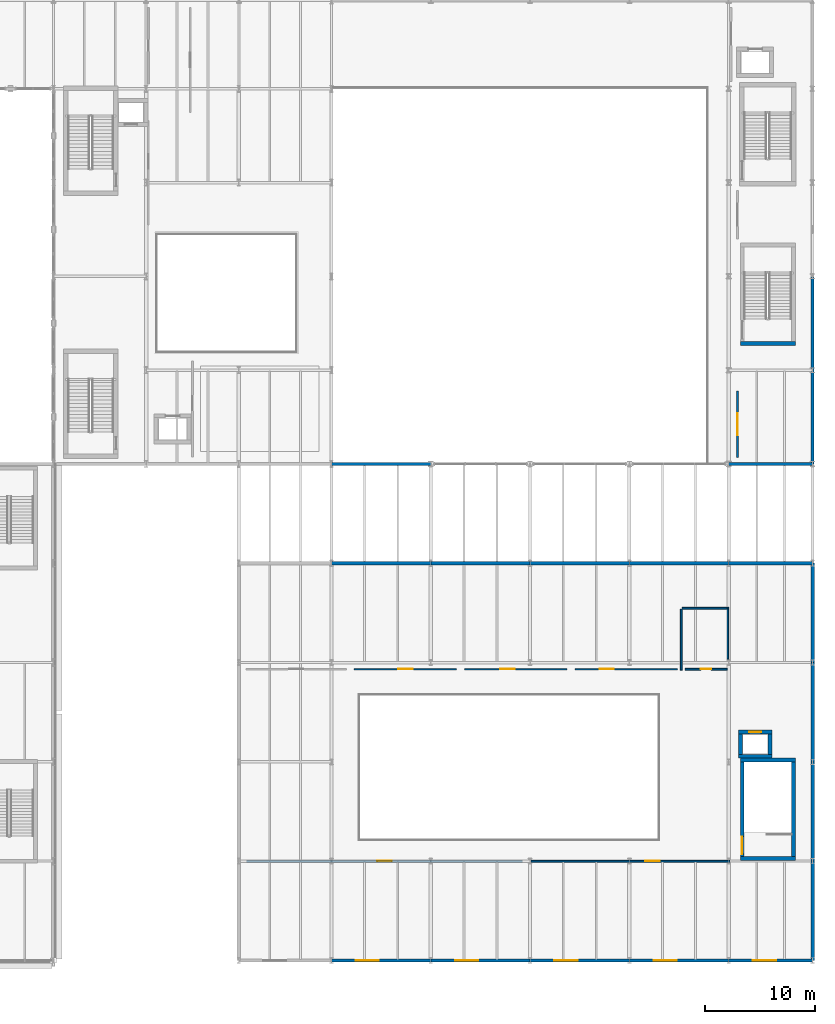
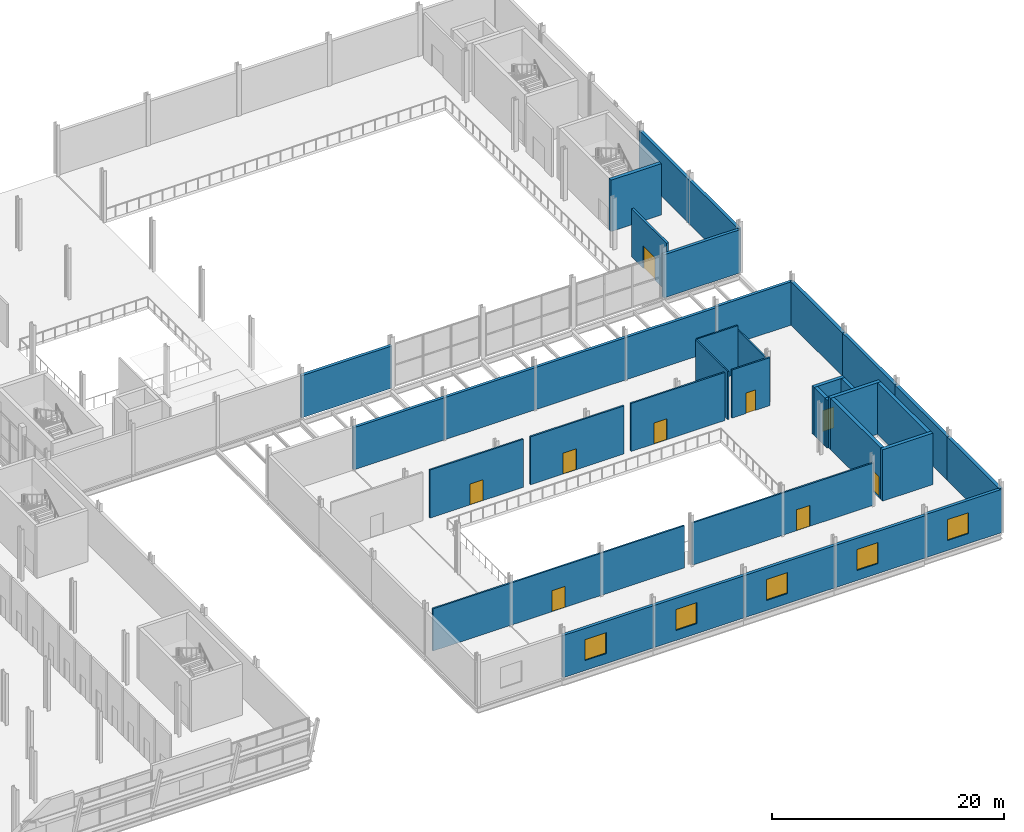
# One storey, part 58 of 78: 36 walls, 9 doors, 5 windows, 14 openings.
"""IFC4 building model written with IfcOpenShell, lengths in metres."""

import ifcopenshell
import ifcopenshell.guid

model = None  # the IFC model being written
_history = None  # IfcOwnerHistory: only IFC2X3 demands one
_inside = {}  # id of a spatial element -> (the spatial element, [elements in it])
_under = {}  # id of a project, library or spatial element -> (it, [spatial elements below it])
_declared = {}  # id of a project -> (the project, [libraries it declares])
_typed = {}  # id of a type object -> (the type object, [elements of that type])
_made_of = {}  # id of a material, layer set ... -> (it, [elements and type objects made of it])


def new_model(schema):
    """Start an empty IFC model of exactly this schema.

    Asked for "IFC4X3", IfcOpenShell would pick the latest addendum, in which some entities
    have other attributes; the version numbers below select the first issue.
    IFC2X3 requires an IfcOwnerHistory on every rooted entity: one is made here for all.
    """
    global model, _history
    if schema == "IFC4X3":
        model = ifcopenshell.file(schema_version=(4, 3, 0, 0))
    else:
        model = ifcopenshell.file(schema=schema)
    _inside.clear()
    _under.clear()
    _declared.clear()
    _typed.clear()
    _made_of.clear()
    _history = None
    if model.schema == "IFC2X3":
        org = make("IfcOrganization", Name="unknown")
        user = make(
            "IfcPersonAndOrganization",
            ThePerson=make("IfcPerson", FamilyName="unknown"),
            TheOrganization=org,
        )
        app = make(
            "IfcApplication",
            ApplicationDeveloper=org,
            Version="unknown",
            ApplicationFullName="unknown",
            ApplicationIdentifier="unknown",
        )
        _history = make(
            "IfcOwnerHistory",
            OwningUser=user,
            OwningApplication=app,
            ChangeAction="ADDED",
            CreationDate=0,
        )
    return model


def make(cls, **values):
    """One entity of the class cls with the attributes given. An attribute that is None is left unset."""
    return model.create_entity(
        cls, **{name: value for name, value in values.items() if value is not None}
    )


def rooted(cls, **values):
    """An entity with a GlobalId (a new one), such as an element, a storey or a relation."""
    return make(cls, GlobalId=ifcopenshell.guid.new(), OwnerHistory=_history, **values)


def si_unit(unit_type, name, prefix=None):
    """IfcSIUnit, for example si_unit("LENGTHUNIT", "METRE", prefix="MILLI")."""
    return make("IfcSIUnit", UnitType=unit_type, Prefix=prefix, Name=name)


def assignment(units):
    """IfcUnitAssignment: the units of a project."""
    return None if units is None else make("IfcUnitAssignment", Units=units)


def point(xyz):
    """IfcCartesianPoint."""
    return None if xyz is None else make("IfcCartesianPoint", Coordinates=xyz)


def direction(xyz):
    """IfcDirection."""
    return None if xyz is None else make("IfcDirection", DirectionRatios=xyz)


def frame(location, z_axis=None, x_axis=None):
    """IfcAxis2Placement3D, a coordinate frame: its origin and axes. An axis left out is left unset."""
    return make(
        "IfcAxis2Placement3D",
        Location=point(location),
        Axis=direction(z_axis),
        RefDirection=direction(x_axis),
    )


def frame_2d(location, x_axis=None):
    """IfcAxis2Placement2D, a coordinate frame in the plane: its origin and x axis."""
    return make(
        "IfcAxis2Placement2D", Location=point(location), RefDirection=direction(x_axis)
    )


def origin():
    """The frame at (0, 0, 0) with its axes left unset."""
    return frame((0.0, 0.0, 0.0))


def place(relative_to, where):
    """IfcLocalPlacement: puts the frame where relative to a parent placement (None: the world)."""
    return make(
        "IfcLocalPlacement", PlacementRelTo=relative_to, RelativePlacement=where
    )


def context(
    kind, dimensions, precision=None, world=None, true_north=None, identifier=None
):
    """IfcGeometricRepresentationContext, for example the 3D "Model" context."""
    return make(
        "IfcGeometricRepresentationContext",
        ContextIdentifier=identifier,
        ContextType=kind,
        CoordinateSpaceDimension=dimensions,
        Precision=precision,
        WorldCoordinateSystem=world,
        TrueNorth=true_north,
    )


def subcontext(parent, identifier, kind, view, scale=None):
    """IfcGeometricRepresentationSubContext, for example "Body" below "Model"."""
    return make(
        "IfcGeometricRepresentationSubContext",
        ContextIdentifier=identifier,
        ContextType=kind,
        ParentContext=parent,
        TargetScale=scale,
        TargetView=view,
    )


def project(units=None, contexts=None):
    """IfcProject with its units and contexts."""
    return rooted(
        "IfcProject",
        Name="project",
        RepresentationContexts=contexts,
        UnitsInContext=assignment(units),
    )


def spatial(cls, under=None, at=None, **own):
    """A site, building, storey or space (cls), placed at a placement, below another one or the project."""
    s = rooted(cls, ObjectPlacement=at, **own)
    if under is not None:
        _under.setdefault(under.id(), (under, []))[1].append(s)
    return s


def profile(cls, at=None, kind="AREA", **sizes):
    """A parametric profile (cls). Its sizes go by their IFC names, for example OverallWidth=200.0."""
    return make(cls, ProfileType=kind, Position=at, **sizes)


def rectangle(**sizes):
    """IfcRectangleProfileDef."""
    return profile("IfcRectangleProfileDef", **sizes)


def extrude(swept, where, along, depth):
    """IfcExtrudedAreaSolid: the profile swept, set in the frame where, extruded along a direction by depth."""
    return make(
        "IfcExtrudedAreaSolid",
        SweptArea=swept,
        Position=where,
        ExtrudedDirection=direction(along),
        Depth=depth,
    )


def shape(context_of_items, identifier, shape_type, items):
    """IfcShapeRepresentation: the items that make up one representation, for example the "Body"."""
    return make(
        "IfcShapeRepresentation",
        ContextOfItems=context_of_items,
        RepresentationIdentifier=identifier,
        RepresentationType=shape_type,
        Items=items,
    )


def material(Name=None, Category=None):
    """IfcMaterial."""
    return make("IfcMaterial", Name=Name, Category=Category)


def layer(
    of_material, thickness, ventilated=None, Name=None, Category=None, Priority=None
):
    """IfcMaterialLayer: one layer of a wall or slab, of a material (None: an air gap)."""
    return make(
        "IfcMaterialLayer",
        Material=of_material,
        LayerThickness=thickness,
        IsVentilated=ventilated,
        Name=Name,
        Category=Category,
        Priority=Priority,
    )


def layer_set(layers, Name=None):
    """IfcMaterialLayerSet."""
    return make("IfcMaterialLayerSet", MaterialLayers=layers, LayerSetName=Name)


def made_of(thing, what):
    """Note that an element or type object is made of a material, layer set ...; save() writes the relation."""
    if what is not None:
        _made_of.setdefault(what.id(), (what, []))[1].append(thing)
    return thing


def type_object(cls, material=None, **own):
    """A type object (cls), such as IfcWallType, which elements share."""
    return made_of(rooted(cls, **own), material)


def element(
    cls,
    number,
    at=None,
    inside=None,
    cuts=None,
    type_object=None,
    material=None,
    context=None,
    identifier="Body",
    shape_type=None,
    held_by="IfcProductDefinitionShape",
    body=None,
    shapes=None,
    **own,
):
    """One element of the class cls, such as IfcWall. Its Tag is "e" and its number.

    at: its placement. inside: the storey or other place that contains it. cuts: it is an
    opening in that element (IfcRelVoidsElement). A single representation is given by context,
    identifier, shape_type and body (its items); several are given by shapes. held_by: the class
    of the entity that holds the representations. save() writes the other relations.
    """
    e = rooted(cls, Tag="e%d" % number, ObjectPlacement=at, **own)
    if body is not None:
        shapes = [shape(context, identifier, shape_type, body)]
    if shapes is not None:
        e.Representation = make(held_by, Representations=shapes)
    if inside is not None:
        _inside.setdefault(inside.id(), (inside, []))[1].append(e)
    if cuts is not None:
        rooted(
            "IfcRelVoidsElement", RelatingBuildingElement=cuts, RelatedOpeningElement=e
        )
    if type_object is not None:
        _typed.setdefault(type_object.id(), (type_object, []))[1].append(e)
    return made_of(e, material)


def fill(opening, filler):
    """IfcRelFillsElement: the door or window that sits in an opening."""
    return rooted(
        "IfcRelFillsElement",
        RelatingOpeningElement=opening,
        RelatedBuildingElement=filler,
    )


def aggregate(whole, parts):
    """IfcRelAggregates: a whole, such as a stair, and the parts it consists of."""
    return rooted("IfcRelAggregates", RelatingObject=whole, RelatedObjects=parts)


def save(model, path):
    """Write the relations noted so far, then the file.

    IfcRelAggregates (storeys below a building ...), IfcRelContainedInSpatialStructure (elements
    in a storey), IfcRelDefinesByType, IfcRelAssociatesMaterial and IfcRelDeclares: one each for
    every whole, place, type object, material and project.
    """
    for whole, parts in _under.values():
        aggregate(whole, parts)
    for where, things in _inside.values():
        rooted(
            "IfcRelContainedInSpatialStructure",
            RelatedElements=things,
            RelatingStructure=where,
        )
    for kind, things in _typed.values():
        rooted("IfcRelDefinesByType", RelatedObjects=things, RelatingType=kind)
    for what, things in _made_of.values():
        rooted("IfcRelAssociatesMaterial", RelatedObjects=things, RelatingMaterial=what)
    for by, libraries in _declared.values():
        rooted("IfcRelDeclares", RelatingContext=by, RelatedDefinitions=libraries)
    model.write(path)


model = new_model("IFC4")

# Units and contexts
model_context = context("Model", 3, precision=1e-05, world=origin(), true_north=direction((0.0, 1.0)))
body_context = subcontext(model_context, "Body", "Model", "MODEL_VIEW")
ifc_project = project(units=[si_unit("LENGTHUNIT", "METRE"), si_unit("AREAUNIT", "SQUARE_METRE"), si_unit("VOLUMEUNIT", "CUBIC_METRE"), si_unit("PLANEANGLEUNIT", "RADIAN"), si_unit("MASSUNIT", "GRAM", prefix="KILO")], contexts=[model_context])

# Site, building, storey
site_placement = place(None, origin())
site = spatial("IfcSite", under=ifc_project, at=site_placement, CompositionType="ELEMENT")
building_placement = place(site_placement, origin())
building = spatial("IfcBuilding", under=site, at=building_placement, Name="Sefraquen Railside Congress Hotel", CompositionType="ELEMENT")
storey_placement = place(building_placement, frame((0.0, 0.0, 6.0)))
storey = spatial("IfcBuildingStorey", under=building, at=storey_placement, Name="L01", CompositionType="ELEMENT", Elevation=6.0)

# Wall, opening, door
ifc_material_1 = material(Name="Acoustic double stud and gypsum board", Category="gypsum")
ifc_layer_1 = layer(ifc_material_1, 0.219970703125)
ifc_layer_set_1 = layer_set([ifc_layer_1], Name="Acoustic double stud and gypsum board")
wall_type_1 = type_object("IfcWallType", Name="TW-AW-220", PredefinedType="PARTITIONING", material=ifc_layer_set_1)
wall_1_placement = place(storey_placement, frame((165.199951171875, 54.60009765625, 0.0), z_axis=(0.0, 0.0, 1.0), x_axis=(0.0, 1.0, 0.0)))
wall_1 = element("IfcWall", 1, at=wall_1_placement, inside=storey, type_object=wall_type_1, Name="Ballroom Mezzanine Accessible WC enclosure wall", PredefinedType="PARTITIONING", context=body_context, shape_type="SweptSolid", body=[
    extrude(rectangle(XDim=6.0, YDim=0.219970703125, at=frame_2d((3.0, 0.0))), origin(), (0.0, 0.0, 1.0), 5.050048828125),
])
opening_1_placement = place(wall_1_placement, frame((2.0, 0.0, 0.0)))
opening_1 = element("IfcOpeningElement", 2, at=opening_1_placement, cuts=wall_1, Name="Opening AD-02", PredefinedType="OPENING", context=body_context, shape_type="SweptSolid", body=[
    extrude(rectangle(XDim=2.0, YDim=2.35009765625, at=frame_2d((1.0, 1.175048828125))), frame((0.0, 0.119873046875, 0.0), z_axis=(0.0, -1.0, 0.0), x_axis=(1.0, 0.0, 0.0)), (0.0, 0.0, 1.0), 0.239990234375),
])
ifc_material_2 = material(Name="Acoustic Atlas cedar timber", Category="wood")
door_type_1 = type_object("IfcDoorType", Name="TD-AD-02", OperationType="NOTDEFINED", PredefinedType="DOOR", material=ifc_material_2)
door_1_placement = place(opening_1_placement, origin())
door_1 = element("IfcDoor", 3, at=door_1_placement, inside=storey, type_object=door_type_1, Name="Ballroom Mezzanine Accessible WC entrance door", OperationType="DOUBLE_SWING_LEFT", OverallHeight=2.35009765625, OverallWidth=2.0, PredefinedType="DOOR", context=body_context, shape_type="SweptSolid", body=[
    extrude(rectangle(XDim=2.0, YDim=2.35009765625, at=frame_2d((1.0, 1.175048828125))), frame((0.0, 0.02490234375, 0.0), z_axis=(0.0, -1.0, 0.0), x_axis=(1.0, 0.0, 0.0)), (0.0, 0.0, 1.0), 0.050048828125),
])
fill(opening_1, door_1)

# Walls
ifc_material_3 = material(Name="Concrete C50/60", Category="concrete")
ifc_layer_2 = layer(ifc_material_3, 0.35009765625)
ifc_layer_set_2 = layer_set([ifc_layer_2], Name="Concrete C50/60")
wall_type_2 = type_object("IfcWallType", Name="TW-CW-350", PredefinedType="SHEAR", material=ifc_layer_set_2)
for number, where, z_axis, x_axis, name in (
    (4, (165.449951171875, 64.925048828125, 0.0), (0.0, 0.0, 1.0), (1.0, 0.0, 0.0), "Core shear wall ST-B02 S L01"),
    (5, (165.449951171875, 27.155029296875, 0.0), (0.0, 0.0, 1.0), (1.0, 0.0, 0.0), "Core shear wall ST-S01 N L01"),
    (6, (165.449951171875, 18.22509765625, 0.0), (0.0, 0.0, 1.0), (1.0, 0.0, 0.0), "Core shear wall ST-S01 S L01"),
):
    element("IfcWall", number, at=place(storey_placement, frame(where, z_axis=z_axis, x_axis=x_axis)), inside=storey, type_object=wall_type_2, Name=name, PredefinedType="SHEAR", context=body_context, shape_type="SweptSolid", body=[
        extrude(rectangle(XDim=5.0, YDim=0.35009765625, at=frame_2d((2.5, 0.0))), origin(), (0.0, 0.0, 1.0), 5.39990234375),
    ])

# Wall, opening, door
wall_2_placement = place(storey_placement, frame((165.625, 18.39990234375, 0.0), z_axis=(0.0, 0.0, 1.0), x_axis=(0.0, 1.0, 0.0)))
wall_2 = element("IfcWall", 7, at=wall_2_placement, inside=storey, type_object=wall_type_2, Name="Core shear wall ST-S01 W L01", PredefinedType="SHEAR", context=body_context, shape_type="SweptSolid", body=[
    extrude(rectangle(XDim=8.580078125, YDim=0.35009765625, at=frame_2d((4.2900390625, 0.0))), origin(), (0.0, 0.0, 1.0), 5.39990234375),
])
opening_2_placement = place(wall_2_placement, frame((0.22509765625, 0.0, 0.0)))
opening_2 = element("IfcOpeningElement", 8, at=opening_2_placement, cuts=wall_2, Name="Opening FD-02", PredefinedType="OPENING", context=body_context, shape_type="SweptSolid", body=[
    extrude(rectangle(XDim=1.60009765625, YDim=2.199951171875, at=frame_2d((0.800048828125, 1.10009765625))), frame((0.0, 0.18505859375, 0.0), z_axis=(0.0, -1.0, 0.0), x_axis=(1.0, 0.0, 0.0)), (0.0, 0.0, 1.0), 0.3701171875),
])
ifc_material_4 = material(Name="Fire-rated steel", Category="steel")
door_type_2 = type_object("IfcDoorType", Name="TD-FD-02", OperationType="NOTDEFINED", PredefinedType="DOOR", material=ifc_material_4)
door_2_placement = place(opening_2_placement, origin())
door_2 = element("IfcDoor", 9, at=door_2_placement, inside=storey, type_object=door_type_2, Name="Pressurized stair ST-S01 fire door L01", OperationType="SINGLE_SWING_LEFT", OverallHeight=2.199951171875, OverallWidth=1.60009765625, PredefinedType="DOOR", context=body_context, shape_type="SweptSolid", body=[
    extrude(rectangle(XDim=1.60009765625, YDim=2.199951171875, at=frame_2d((0.800048828125, 1.10009765625))), frame((0.0, 0.02490234375, 0.0), z_axis=(0.0, -1.0, 0.0), x_axis=(1.0, 0.0, 0.0)), (0.0, 0.0, 1.0), 0.050048828125),
])
fill(opening_2, door_2)

# Wall
wall_3_placement = place(storey_placement, frame((170.27490234375, 18.39990234375, 0.0), z_axis=(0.0, 0.0, 1.0), x_axis=(0.0, 1.0, 0.0)))
element("IfcWall", 10, at=wall_3_placement, inside=storey, type_object=wall_type_2, Name="Core shear wall ST-S01 E L01", PredefinedType="SHEAR", context=body_context, shape_type="SweptSolid", body=[
    extrude(rectangle(XDim=8.580078125, YDim=0.35009765625, at=frame_2d((4.2900390625, 0.0))), origin(), (0.0, 0.0, 1.0), 5.39990234375),
])

# Wall, opening, door
wall_4_placement = place(storey_placement, frame((165.280029296875, 29.695068359375, 0.0), z_axis=(0.0, 0.0, 1.0), x_axis=(1.0, 0.0, 0.0)))
wall_4 = element("IfcWall", 11, at=wall_4_placement, inside=storey, type_object=wall_type_2, Name="Lift PL-09 shaft wall N L01", PredefinedType="SHEAR", context=body_context, shape_type="SweptSolid", body=[
    extrude(rectangle(XDim=3.0400390625, YDim=0.35009765625, at=frame_2d((1.52001953125, 0.0))), origin(), (0.0, 0.0, 1.0), 5.050048828125),
])
opening_3_placement = place(wall_4_placement, frame((0.969970703125, 0.0, 0.0)))
opening_3 = element("IfcOpeningElement", 12, at=opening_3_placement, cuts=wall_4, Name="Opening LD-01", PredefinedType="OPENING", context=body_context, shape_type="SweptSolid", body=[
    extrude(rectangle(XDim=1.10009765625, YDim=2.199951171875, at=frame_2d((0.550048828125, 1.10009765625))), frame((0.0, 0.18505859375, 0.0), z_axis=(0.0, -1.0, 0.0), x_axis=(1.0, 0.0, 0.0)), (0.0, 0.0, 1.0), 0.3701171875),
])
ifc_material_5 = material(Name="Brushed bronze stainless steel", Category="steel")
door_type_3 = type_object("IfcDoorType", Name="TD-LD-01", OperationType="NOTDEFINED", PredefinedType="DOOR", material=ifc_material_5)
door_3_placement = place(opening_3_placement, origin())
door_3 = element("IfcDoor", 13, at=door_3_placement, inside=storey, type_object=door_type_3, Name="Lift landing door PL-09 L01", OperationType="SLIDING_TO_LEFT", OverallHeight=2.199951171875, OverallWidth=1.10009765625, PredefinedType="DOOR", context=body_context, shape_type="SweptSolid", body=[
    extrude(rectangle(XDim=1.10009765625, YDim=2.199951171875, at=frame_2d((0.550048828125, 1.10009765625))), frame((0.0, 0.02490234375, 0.0), z_axis=(0.0, -1.0, 0.0), x_axis=(1.0, 0.0, 0.0)), (0.0, 0.0, 1.0), 0.050048828125),
])
fill(opening_3, door_3)

# Walls
wall_5_placement = place(storey_placement, frame((165.280029296875, 27.5048828125, 0.0), z_axis=(0.0, 0.0, 1.0), x_axis=(1.0, 0.0, 0.0)))
element("IfcWall", 14, at=wall_5_placement, inside=storey, type_object=wall_type_2, Name="Lift PL-09 shaft wall S L01", PredefinedType="SHEAR", context=body_context, shape_type="SweptSolid", body=[
    extrude(rectangle(XDim=3.0400390625, YDim=0.35009765625, at=frame_2d((1.52001953125, 0.0))), origin(), (0.0, 0.0, 1.0), 5.050048828125),
])
for number, where, z_axis, x_axis, name in (
    (15, (165.455078125, 27.679931640625, 0.0), (0.0, 0.0, 1.0), (0.0, 1.0, 0.0), "Lift PL-09 shaft wall W L01"),
    (16, (168.14501953125, 27.679931640625, 0.0), (0.0, 0.0, 1.0), (0.0, 1.0, 0.0), "Lift PL-09 shaft wall E L01"),
):
    element("IfcWall", number, at=place(storey_placement, frame(where, z_axis=z_axis, x_axis=x_axis)), inside=storey, type_object=wall_type_2, Name=name, PredefinedType="SHEAR", context=body_context, shape_type="SweptSolid", body=[
        extrude(rectangle(XDim=1.840087890625, YDim=0.35009765625, at=frame_2d((0.919921875, 0.0))), origin(), (0.0, 0.0, 1.0), 5.050048828125),
    ])
ifc_material_6 = material(Name="Ochre Rabat calcarenite limestone and Concrete C40/50 backing", Category="masonry")
ifc_layer_3 = layer(ifc_material_6, 0.280029296875)
ifc_layer_set_3 = layer_set([ifc_layer_3], Name="Ochre Rabat calcarenite limestone and Concrete C40/50 backing")
wall_type_3 = type_object("IfcWallType", Name="TW-EW-280", PredefinedType="STANDARD", material=ifc_layer_set_3)
for number, where, z_axis, x_axis, name in (
    (17, (128.39990234375, 45.0, 0.0), (0.0, 0.0, 1.0), (1.0, 0.0, 0.0), "Thermal Spa L01 north garden wall 2"),
    (18, (137.39990234375, 45.0, 0.0), (0.0, 0.0, 1.0), (1.0, 0.0, 0.0), "Thermal Spa L01 north garden wall 3"),
    (19, (146.39990234375, 45.0, 0.0), (0.0, 0.0, 1.0), (1.0, 0.0, 0.0), "Thermal Spa L01 north garden wall 4"),
    (20, (155.39990234375, 45.0, 0.0), (0.0, 0.0, 1.0), (1.0, 0.0, 0.0), "Thermal Spa L01 north garden wall 5"),
):
    element("IfcWall", number, at=place(storey_placement, frame(where, z_axis=z_axis, x_axis=x_axis)), inside=storey, type_object=wall_type_3, Name=name, PredefinedType="STANDARD", context=body_context, shape_type="SweptSolid", body=[
        extrude(rectangle(XDim=9.0, YDim=0.280029296875, at=frame_2d((4.5, 0.0))), origin(), (0.0, 0.0, 1.0), 4.43994140625),
    ])
wall_6_placement = place(storey_placement, frame((164.39990234375, 45.0, 0.0), z_axis=(0.0, 0.0, 1.0), x_axis=(1.0, 0.0, 0.0)))
element("IfcWall", 21, at=wall_6_placement, inside=storey, type_object=wall_type_3, Name="Thermal Spa L01 north garden wall 6", PredefinedType="STANDARD", context=body_context, shape_type="SweptSolid", body=[
    extrude(rectangle(XDim=7.60009765625, YDim=0.280029296875, at=frame_2d((3.800048828125, 0.0))), origin(), (0.0, 0.0, 1.0), 4.5400390625),
])

# Wall, opening, window
ifc_layer_4 = layer(ifc_material_6, 0.300048828125)
ifc_layer_set_4 = layer_set([ifc_layer_4], Name="Ochre Rabat calcarenite limestone and Concrete C40/50 backing")
wall_type_4 = type_object("IfcWallType", Name="TW-EW-300", PredefinedType="STANDARD", material=ifc_layer_set_4)
wall_7_placement = place(storey_placement, frame((128.39990234375, 9.0, 0.0), z_axis=(0.0, 0.0, 1.0), x_axis=(1.0, 0.0, 0.0)))
wall_7 = element("IfcWall", 22, at=wall_7_placement, inside=storey, type_object=wall_type_4, Name="Thermal Spa L01 south limestone wall 2", PredefinedType="STANDARD", context=body_context, shape_type="SweptSolid", body=[
    extrude(rectangle(XDim=9.0, YDim=0.300048828125, at=frame_2d((4.5, 0.0))), origin(), (0.0, 0.0, 1.0), 4.43994140625),
])
opening_4_placement = place(wall_7_placement, frame((2.199951171875, 0.0, 1.050048828125)))
opening_4 = element("IfcOpeningElement", 23, at=opening_4_placement, cuts=wall_7, Name="Opening WN-07", PredefinedType="OPENING", context=body_context, shape_type="SweptSolid", body=[
    extrude(rectangle(XDim=2.10009765625, YDim=2.199951171875, at=frame_2d((1.050048828125, 1.10009765625))), frame((0.0, 0.159912109375, 0.0), z_axis=(0.0, -1.0, 0.0), x_axis=(1.0, 0.0, 0.0)), (0.0, 0.0, 1.0), 0.320068359375),
])
ifc_material_7 = material(Name="Solar-control low-E double glazing in bronze-anodised frame", Category="glass")
window_type = type_object("IfcWindowType", Name="TWN-W-07", PartitioningType="DOUBLE_PANEL_VERTICAL", PredefinedType="WINDOW", material=ifc_material_7)
window_1_placement = place(opening_4_placement, origin())
window_1 = element("IfcWindow", 24, at=window_1_placement, inside=storey, type_object=window_type, Name="Thermal Spa L01 south window 2", OverallHeight=2.199951171875, OverallWidth=2.10009765625, PartitioningType="DOUBLE_PANEL_VERTICAL", PredefinedType="WINDOW", context=body_context, shape_type="SweptSolid", body=[
    extrude(rectangle(XDim=2.10009765625, YDim=2.199951171875, at=frame_2d((1.050048828125, 1.10009765625))), frame((0.0, 0.030029296875, 0.0), z_axis=(0.0, -1.0, 0.0), x_axis=(1.0, 0.0, 0.0)), (0.0, 0.0, 1.0), 0.06005859375),
])
fill(opening_4, window_1)

wall_8_placement = place(storey_placement, frame((137.39990234375, 9.0, 0.0), z_axis=(0.0, 0.0, 1.0), x_axis=(1.0, 0.0, 0.0)))
wall_8 = element("IfcWall", 25, at=wall_8_placement, inside=storey, type_object=wall_type_4, Name="Thermal Spa L01 south limestone wall 3", PredefinedType="STANDARD", context=body_context, shape_type="SweptSolid", body=[
    extrude(rectangle(XDim=9.0, YDim=0.300048828125, at=frame_2d((4.5, 0.0))), origin(), (0.0, 0.0, 1.0), 4.43994140625),
])
opening_5_placement = place(wall_8_placement, frame((2.199951171875, 0.0, 1.050048828125)))
opening_5 = element("IfcOpeningElement", 26, at=opening_5_placement, cuts=wall_8, Name="Opening WN-07", PredefinedType="OPENING", context=body_context, shape_type="SweptSolid", body=[
    extrude(rectangle(XDim=2.10009765625, YDim=2.199951171875, at=frame_2d((1.050048828125, 1.10009765625))), frame((0.0, 0.159912109375, 0.0), z_axis=(0.0, -1.0, 0.0), x_axis=(1.0, 0.0, 0.0)), (0.0, 0.0, 1.0), 0.320068359375),
])
window_2_placement = place(opening_5_placement, origin())
window_2 = element("IfcWindow", 27, at=window_2_placement, inside=storey, type_object=window_type, Name="Thermal Spa L01 south window 3", OverallHeight=2.199951171875, OverallWidth=2.10009765625, PartitioningType="DOUBLE_PANEL_VERTICAL", PredefinedType="WINDOW", context=body_context, shape_type="SweptSolid", body=[
    extrude(rectangle(XDim=2.10009765625, YDim=2.199951171875, at=frame_2d((1.050048828125, 1.10009765625))), frame((0.0, 0.030029296875, 0.0), z_axis=(0.0, -1.0, 0.0), x_axis=(1.0, 0.0, 0.0)), (0.0, 0.0, 1.0), 0.06005859375),
])
fill(opening_5, window_2)

wall_9_placement = place(storey_placement, frame((146.39990234375, 9.0, 0.0), z_axis=(0.0, 0.0, 1.0), x_axis=(1.0, 0.0, 0.0)))
wall_9 = element("IfcWall", 28, at=wall_9_placement, inside=storey, type_object=wall_type_4, Name="Thermal Spa L01 south limestone wall 4", PredefinedType="STANDARD", context=body_context, shape_type="SweptSolid", body=[
    extrude(rectangle(XDim=9.0, YDim=0.300048828125, at=frame_2d((4.5, 0.0))), origin(), (0.0, 0.0, 1.0), 4.43994140625),
])
opening_6_placement = place(wall_9_placement, frame((2.199951171875, 0.0, 1.050048828125)))
opening_6 = element("IfcOpeningElement", 29, at=opening_6_placement, cuts=wall_9, Name="Opening WN-07", PredefinedType="OPENING", context=body_context, shape_type="SweptSolid", body=[
    extrude(rectangle(XDim=2.10009765625, YDim=2.199951171875, at=frame_2d((1.050048828125, 1.10009765625))), frame((0.0, 0.159912109375, 0.0), z_axis=(0.0, -1.0, 0.0), x_axis=(1.0, 0.0, 0.0)), (0.0, 0.0, 1.0), 0.320068359375),
])
window_3_placement = place(opening_6_placement, origin())
window_3 = element("IfcWindow", 30, at=window_3_placement, inside=storey, type_object=window_type, Name="Thermal Spa L01 south window 4", OverallHeight=2.199951171875, OverallWidth=2.10009765625, PartitioningType="DOUBLE_PANEL_VERTICAL", PredefinedType="WINDOW", context=body_context, shape_type="SweptSolid", body=[
    extrude(rectangle(XDim=2.10009765625, YDim=2.199951171875, at=frame_2d((1.050048828125, 1.10009765625))), frame((0.0, 0.030029296875, 0.0), z_axis=(0.0, -1.0, 0.0), x_axis=(1.0, 0.0, 0.0)), (0.0, 0.0, 1.0), 0.06005859375),
])
fill(opening_6, window_3)

wall_10_placement = place(storey_placement, frame((155.39990234375, 9.0, 0.0), z_axis=(0.0, 0.0, 1.0), x_axis=(1.0, 0.0, 0.0)))
wall_10 = element("IfcWall", 31, at=wall_10_placement, inside=storey, type_object=wall_type_4, Name="Thermal Spa L01 south limestone wall 5", PredefinedType="STANDARD", context=body_context, shape_type="SweptSolid", body=[
    extrude(rectangle(XDim=9.0, YDim=0.300048828125, at=frame_2d((4.5, 0.0))), origin(), (0.0, 0.0, 1.0), 4.43994140625),
])
opening_7_placement = place(wall_10_placement, frame((2.199951171875, 0.0, 1.050048828125)))
opening_7 = element("IfcOpeningElement", 32, at=opening_7_placement, cuts=wall_10, Name="Opening WN-07", PredefinedType="OPENING", context=body_context, shape_type="SweptSolid", body=[
    extrude(rectangle(XDim=2.10009765625, YDim=2.199951171875, at=frame_2d((1.050048828125, 1.10009765625))), frame((0.0, 0.159912109375, 0.0), z_axis=(0.0, -1.0, 0.0), x_axis=(1.0, 0.0, 0.0)), (0.0, 0.0, 1.0), 0.320068359375),
])
window_4_placement = place(opening_7_placement, origin())
window_4 = element("IfcWindow", 33, at=window_4_placement, inside=storey, type_object=window_type, Name="Thermal Spa L01 south window 5", OverallHeight=2.199951171875, OverallWidth=2.10009765625, PartitioningType="DOUBLE_PANEL_VERTICAL", PredefinedType="WINDOW", context=body_context, shape_type="SweptSolid", body=[
    extrude(rectangle(XDim=2.10009765625, YDim=2.199951171875, at=frame_2d((1.050048828125, 1.10009765625))), frame((0.0, 0.030029296875, 0.0), z_axis=(0.0, -1.0, 0.0), x_axis=(1.0, 0.0, 0.0)), (0.0, 0.0, 1.0), 0.06005859375),
])
fill(opening_7, window_4)

wall_11_placement = place(storey_placement, frame((164.39990234375, 9.0, 0.0), z_axis=(0.0, 0.0, 1.0), x_axis=(1.0, 0.0, 0.0)))
wall_11 = element("IfcWall", 34, at=wall_11_placement, inside=storey, type_object=wall_type_4, Name="Thermal Spa L01 south limestone wall 6", PredefinedType="STANDARD", context=body_context, shape_type="SweptSolid", body=[
    extrude(rectangle(XDim=7.60009765625, YDim=0.300048828125, at=frame_2d((3.800048828125, 0.0))), origin(), (0.0, 0.0, 1.0), 4.5400390625),
])
opening_8_placement = place(wall_11_placement, frame((2.199951171875, 0.0, 1.050048828125)))
opening_8 = element("IfcOpeningElement", 35, at=opening_8_placement, cuts=wall_11, Name="Opening WN-07", PredefinedType="OPENING", context=body_context, shape_type="SweptSolid", body=[
    extrude(rectangle(XDim=2.10009765625, YDim=2.199951171875, at=frame_2d((1.050048828125, 1.10009765625))), frame((0.0, 0.159912109375, 0.0), z_axis=(0.0, -1.0, 0.0), x_axis=(1.0, 0.0, 0.0)), (0.0, 0.0, 1.0), 0.320068359375),
])
window_5_placement = place(opening_8_placement, origin())
window_5 = element("IfcWindow", 36, at=window_5_placement, inside=storey, type_object=window_type, Name="Thermal Spa L01 south window 6", OverallHeight=2.199951171875, OverallWidth=2.10009765625, PartitioningType="DOUBLE_PANEL_VERTICAL", PredefinedType="WINDOW", context=body_context, shape_type="SweptSolid", body=[
    extrude(rectangle(XDim=2.10009765625, YDim=2.199951171875, at=frame_2d((1.050048828125, 1.10009765625))), frame((0.0, 0.030029296875, 0.0), z_axis=(0.0, -1.0, 0.0), x_axis=(1.0, 0.0, 0.0)), (0.0, 0.0, 1.0), 0.06005859375),
])
fill(opening_8, window_5)

# Walls
wall_12_placement = place(storey_placement, frame((128.39990234375, 54.0, 0.0), z_axis=(0.0, 0.0, 1.0), x_axis=(1.0, 0.0, 0.0)))
element("IfcWall", 37, at=wall_12_placement, inside=storey, type_object=wall_type_4, Name="Grand Ballroom L01 S facade wall 1", PredefinedType="STANDARD", context=body_context, shape_type="SweptSolid", body=[
    extrude(rectangle(XDim=9.0, YDim=0.300048828125, at=frame_2d((4.5, 0.0))), origin(), (0.0, 0.0, 1.0), 4.43994140625),
])
wall_13_placement = place(storey_placement, frame((164.39990234375, 54.0, 0.0), z_axis=(0.0, 0.0, 1.0), x_axis=(1.0, 0.0, 0.0)))
element("IfcWall", 38, at=wall_13_placement, inside=storey, type_object=wall_type_4, Name="Grand Ballroom L01 S facade wall 5", PredefinedType="STANDARD", context=body_context, shape_type="SweptSolid", body=[
    extrude(rectangle(XDim=7.60009765625, YDim=0.300048828125, at=frame_2d((3.800048828125, 0.0))), origin(), (0.0, 0.0, 1.0), 4.5400390625),
])
wall_14_placement = place(storey_placement, frame((172.0, 54.0, 0.0), z_axis=(0.0, 0.0, 1.0), x_axis=(0.0, 1.0, 0.0)))
element("IfcWall", 39, at=wall_14_placement, inside=storey, type_object=wall_type_4, Name="Grand Ballroom L01 east service facade wall 1", PredefinedType="STANDARD", context=body_context, shape_type="SweptSolid", body=[
    extrude(rectangle(XDim=17.0, YDim=0.300048828125, at=frame_2d((8.5, 0.0))), origin(), (0.0, 0.0, 1.0), 4.580078125),
])
ifc_layer_5 = layer(ifc_material_6, 0.320068359375)
ifc_layer_set_5 = layer_set([ifc_layer_5], Name="Ochre Rabat calcarenite limestone and Concrete C40/50 backing")
wall_type_5 = type_object("IfcWallType", Name="TW-EW-320", PredefinedType="STANDARD", material=ifc_layer_set_5)
for number, where, z_axis, x_axis, name in (
    (40, (172.0, 9.0, 0.0), (0.0, 0.0, 1.0), (0.0, 1.0, 0.0), "Thermal Spa L01 east facade wall 1"),
    (41, (172.0, 18.0, 0.0), (0.0, 0.0, 1.0), (0.0, 1.0, 0.0), "Thermal Spa L01 east facade wall 2"),
    (42, (172.0, 27.0, 0.0), (0.0, 0.0, 1.0), (0.0, 1.0, 0.0), "Thermal Spa L01 east facade wall 3"),
    (43, (172.0, 36.0, 0.0), (0.0, 0.0, 1.0), (0.0, 1.0, 0.0), "Thermal Spa L01 east facade wall 4"),
):
    element("IfcWall", number, at=place(storey_placement, frame(where, z_axis=z_axis, x_axis=x_axis)), inside=storey, type_object=wall_type_5, Name=name, PredefinedType="STANDARD", context=body_context, shape_type="SweptSolid", body=[
        extrude(rectangle(XDim=9.0, YDim=0.320068359375, at=frame_2d((4.5, 0.0))), origin(), (0.0, 0.0, 1.0), 4.550048828125),
    ])
ifc_material_8 = material(Name="Moisture-resistant gypsum board", Category="gypsum")
ifc_layer_6 = layer(ifc_material_8, 0.139892578125)
ifc_layer_set_6 = layer_set([ifc_layer_6], Name="Moisture-resistant gypsum board")
wall_type_6 = type_object("IfcWallType", Name="TW-PW-140", PredefinedType="PARTITIONING", material=ifc_layer_set_6)
wall_15_placement = place(storey_placement, frame((160.10009765625, 35.320068359375, 0.0), z_axis=(0.0, 0.0, 1.0), x_axis=(0.0, 1.0, 0.0)))
element("IfcWall", 44, at=wall_15_placement, inside=storey, type_object=wall_type_6, Name="Spa upper accessible WC west dividing partition", PredefinedType="PARTITIONING", context=body_context, shape_type="SweptSolid", body=[
    extrude(rectangle(XDim=5.530029296875, YDim=0.139892578125, at=frame_2d((2.76513671875, 0.0))), origin(), (0.0, 0.0, 1.0), 5.050048828125),
])
wall_16_placement = place(storey_placement, frame((160.169921875, 40.919921875, 0.0), z_axis=(0.0, 0.0, 1.0), x_axis=(1.0, 0.0, 0.0)))
element("IfcWall", 45, at=wall_16_placement, inside=storey, type_object=wall_type_6, Name="Spa upper accessible WC north enclosure partition", PredefinedType="PARTITIONING", context=body_context, shape_type="SweptSolid", body=[
    extrude(rectangle(XDim=4.080078125, YDim=0.139892578125, at=frame_2d((2.0400390625, 0.0))), origin(), (0.0, 0.0, 1.0), 5.050048828125),
])
wall_17_placement = place(storey_placement, frame((164.320068359375, 36.300048828125, 0.0), z_axis=(0.0, 0.0, 1.0), x_axis=(0.0, 1.0, 0.0)))
element("IfcWall", 46, at=wall_17_placement, inside=storey, type_object=wall_type_6, Name="Spa upper accessible WC east enclosure partition", PredefinedType="PARTITIONING", context=body_context, shape_type="SweptSolid", body=[
    extrude(rectangle(XDim=4.68994140625, YDim=0.139892578125, at=frame_2d((2.344970703125, 0.0))), origin(), (0.0, 0.0, 1.0), 4.550048828125),
])

# Wall, opening, door
ifc_layer_7 = layer(ifc_material_8, 0.159912109375)
ifc_layer_set_7 = layer_set([ifc_layer_7], Name="Moisture-resistant gypsum board")
wall_type_7 = type_object("IfcWallType", Name="TW-PW-160", PredefinedType="PARTITIONING", material=ifc_layer_set_7)
wall_18_placement = place(storey_placement, frame((120.699951171875, 18.0, 0.0), z_axis=(0.0, 0.0, 1.0), x_axis=(1.0, 0.0, 0.0)))
wall_18 = element("IfcWall", 47, at=wall_18_placement, inside=storey, type_object=wall_type_7, Name="Fitness Gymnasium and Wellness Room enclosure wall", PredefinedType="PARTITIONING", context=body_context, shape_type="SweptSolid", body=[
    extrude(rectangle(XDim=25.0, YDim=0.159912109375, at=frame_2d((12.5, 0.0))), origin(), (0.0, 0.0, 1.0), 4.43994140625),
])
opening_9_placement = place(wall_18_placement, frame((11.85009765625, 0.0, 0.0)))
opening_9 = element("IfcOpeningElement", 48, at=opening_9_placement, cuts=wall_18, Name="Opening MD-02", PredefinedType="OPENING", context=body_context, shape_type="SweptSolid", body=[
    extrude(rectangle(XDim=1.300048828125, YDim=2.199951171875, at=frame_2d((0.64990234375, 1.10009765625))), frame((0.0, 0.08984375, 0.0), z_axis=(0.0, -1.0, 0.0), x_axis=(1.0, 0.0, 0.0)), (0.0, 0.0, 1.0), 0.179931640625),
])
ifc_material_9 = material(Name="Acoustic cedar veneer", Category="wood")
door_type_4 = type_object("IfcDoorType", Name="TD-MD-02", OperationType="NOTDEFINED", PredefinedType="DOOR", material=ifc_material_9)
door_4_placement = place(opening_9_placement, origin())
door_4 = element("IfcDoor", 49, at=door_4_placement, inside=storey, type_object=door_type_4, Name="Fitness Gymnasium and Wellness Room entrance door", OperationType="SINGLE_SWING_RIGHT", OverallHeight=2.199951171875, OverallWidth=1.300048828125, PredefinedType="DOOR", context=body_context, shape_type="SweptSolid", body=[
    extrude(rectangle(XDim=1.300048828125, YDim=2.199951171875, at=frame_2d((0.64990234375, 1.10009765625))), frame((0.0, 0.02490234375, 0.0), z_axis=(0.0, -1.0, 0.0), x_axis=(1.0, 0.0, 0.0)), (0.0, 0.0, 1.0), 0.050048828125),
])
fill(opening_9, door_4)

wall_19_placement = place(storey_placement, frame((146.5, 18.0, 0.0), z_axis=(0.0, 0.0, 1.0), x_axis=(1.0, 0.0, 0.0)))
wall_19 = element("IfcWall", 50, at=wall_19_placement, inside=storey, type_object=wall_type_7, Name="Moroccan Herbal Tea Salon enclosure wall", PredefinedType="PARTITIONING", context=body_context, shape_type="SweptSolid", body=[
    extrude(rectangle(XDim=18.0, YDim=0.159912109375, at=frame_2d((9.0, 0.0))), origin(), (0.0, 0.0, 1.0), 4.43994140625),
])
opening_10_placement = place(wall_19_placement, frame((10.35009765625, 0.0, 0.0)))
opening_10 = element("IfcOpeningElement", 51, at=opening_10_placement, cuts=wall_19, Name="Opening MD-02", PredefinedType="OPENING", context=body_context, shape_type="SweptSolid", body=[
    extrude(rectangle(XDim=1.300048828125, YDim=2.199951171875, at=frame_2d((0.64990234375, 1.10009765625))), frame((0.0, 0.08984375, 0.0), z_axis=(0.0, -1.0, 0.0), x_axis=(1.0, 0.0, 0.0)), (0.0, 0.0, 1.0), 0.179931640625),
])
door_5_placement = place(opening_10_placement, origin())
door_5 = element("IfcDoor", 52, at=door_5_placement, inside=storey, type_object=door_type_4, Name="Moroccan Herbal Tea Salon entrance door", OperationType="SINGLE_SWING_LEFT", OverallHeight=2.199951171875, OverallWidth=1.300048828125, PredefinedType="DOOR", context=body_context, shape_type="SweptSolid", body=[
    extrude(rectangle(XDim=1.300048828125, YDim=2.199951171875, at=frame_2d((0.64990234375, 1.10009765625))), frame((0.0, 0.02490234375, 0.0), z_axis=(0.0, -1.0, 0.0), x_axis=(1.0, 0.0, 0.0)), (0.0, 0.0, 1.0), 0.050048828125),
])
fill(opening_10, door_5)

wall_20_placement = place(storey_placement, frame((130.449951171875, 35.39990234375, 0.0), z_axis=(0.0, 0.0, 1.0), x_axis=(1.0, 0.0, 0.0)))
wall_20 = element("IfcWall", 53, at=wall_20_placement, inside=storey, type_object=wall_type_7, Name="Spa Treatment Room 02 enclosure wall", PredefinedType="PARTITIONING", context=body_context, shape_type="SweptSolid", body=[
    extrude(rectangle(XDim=9.300048828125, YDim=0.159912109375, at=frame_2d((4.64990234375, 0.0))), origin(), (0.0, 0.0, 1.0), 5.050048828125),
])
opening_11_placement = place(wall_20_placement, frame((4.0, 0.0, 0.0)))
opening_11 = element("IfcOpeningElement", 54, at=opening_11_placement, cuts=wall_20, Name="Opening MD-02", PredefinedType="OPENING", context=body_context, shape_type="SweptSolid", body=[
    extrude(rectangle(XDim=1.300048828125, YDim=2.199951171875, at=frame_2d((0.64990234375, 1.10009765625))), frame((0.0, 0.08984375, 0.0), z_axis=(0.0, -1.0, 0.0), x_axis=(1.0, 0.0, 0.0)), (0.0, 0.0, 1.0), 0.179931640625),
])
door_6_placement = place(opening_11_placement, origin())
door_6 = element("IfcDoor", 55, at=door_6_placement, inside=storey, type_object=door_type_4, Name="Spa Treatment Room 02 entrance door", OperationType="SINGLE_SWING_LEFT", OverallHeight=2.199951171875, OverallWidth=1.300048828125, PredefinedType="DOOR", context=body_context, shape_type="SweptSolid", body=[
    extrude(rectangle(XDim=1.300048828125, YDim=2.199951171875, at=frame_2d((0.64990234375, 1.10009765625))), frame((0.0, 0.02490234375, 0.0), z_axis=(0.0, -1.0, 0.0), x_axis=(1.0, 0.0, 0.0)), (0.0, 0.0, 1.0), 0.050048828125),
])
fill(opening_11, door_6)

wall_21_placement = place(storey_placement, frame((140.449951171875, 35.39990234375, 0.0), z_axis=(0.0, 0.0, 1.0), x_axis=(1.0, 0.0, 0.0)))
wall_21 = element("IfcWall", 56, at=wall_21_placement, inside=storey, type_object=wall_type_7, Name="Spa Treatment Room 03 enclosure wall", PredefinedType="PARTITIONING", context=body_context, shape_type="SweptSolid", body=[
    extrude(rectangle(XDim=9.300048828125, YDim=0.159912109375, at=frame_2d((4.64990234375, 0.0))), origin(), (0.0, 0.0, 1.0), 5.050048828125),
])
opening_12_placement = place(wall_21_placement, frame((3.25, 0.0, 0.0)))
opening_12 = element("IfcOpeningElement", 57, at=opening_12_placement, cuts=wall_21, Name="Opening MD-02", PredefinedType="OPENING", context=body_context, shape_type="SweptSolid", body=[
    extrude(rectangle(XDim=1.300048828125, YDim=2.199951171875, at=frame_2d((0.64990234375, 1.10009765625))), frame((0.0, 0.08984375, 0.0), z_axis=(0.0, -1.0, 0.0), x_axis=(1.0, 0.0, 0.0)), (0.0, 0.0, 1.0), 0.179931640625),
])
door_7_placement = place(opening_12_placement, origin())
door_7 = element("IfcDoor", 58, at=door_7_placement, inside=storey, type_object=door_type_4, Name="Spa Treatment Room 03 entrance door", OperationType="SINGLE_SWING_RIGHT", OverallHeight=2.199951171875, OverallWidth=1.300048828125, PredefinedType="DOOR", context=body_context, shape_type="SweptSolid", body=[
    extrude(rectangle(XDim=1.300048828125, YDim=2.199951171875, at=frame_2d((0.64990234375, 1.10009765625))), frame((0.0, 0.02490234375, 0.0), z_axis=(0.0, -1.0, 0.0), x_axis=(1.0, 0.0, 0.0)), (0.0, 0.0, 1.0), 0.050048828125),
])
fill(opening_12, door_7)

wall_22_placement = place(storey_placement, frame((150.449951171875, 35.39990234375, 0.0), z_axis=(0.0, 0.0, 1.0), x_axis=(1.0, 0.0, 0.0)))
wall_22 = element("IfcWall", 59, at=wall_22_placement, inside=storey, type_object=wall_type_7, Name="Spa Treatment Room 04 enclosure wall", PredefinedType="PARTITIONING", context=body_context, shape_type="SweptSolid", body=[
    extrude(rectangle(XDim=9.300048828125, YDim=0.159912109375, at=frame_2d((4.64990234375, 0.0))), origin(), (0.0, 0.0, 1.0), 5.050048828125),
])
opening_13_placement = place(wall_22_placement, frame((2.25, 0.0, 0.0)))
opening_13 = element("IfcOpeningElement", 60, at=opening_13_placement, cuts=wall_22, Name="Opening MD-02", PredefinedType="OPENING", context=body_context, shape_type="SweptSolid", body=[
    extrude(rectangle(XDim=1.300048828125, YDim=2.199951171875, at=frame_2d((0.64990234375, 1.10009765625))), frame((0.0, 0.08984375, 0.0), z_axis=(0.0, -1.0, 0.0), x_axis=(1.0, 0.0, 0.0)), (0.0, 0.0, 1.0), 0.179931640625),
])
door_8_placement = place(opening_13_placement, origin())
door_8 = element("IfcDoor", 61, at=door_8_placement, inside=storey, type_object=door_type_4, Name="Spa Treatment Room 04 entrance door", OperationType="SINGLE_SWING_LEFT", OverallHeight=2.199951171875, OverallWidth=1.300048828125, PredefinedType="DOOR", context=body_context, shape_type="SweptSolid", body=[
    extrude(rectangle(XDim=1.300048828125, YDim=2.199951171875, at=frame_2d((0.64990234375, 1.10009765625))), frame((0.0, 0.02490234375, 0.0), z_axis=(0.0, -1.0, 0.0), x_axis=(1.0, 0.0, 0.0)), (0.0, 0.0, 1.0), 0.050048828125),
])
fill(opening_13, door_8)

wall_23_placement = place(storey_placement, frame((160.449951171875, 35.39990234375, 0.0), z_axis=(0.0, 0.0, 1.0), x_axis=(1.0, 0.0, 0.0)))
wall_23 = element("IfcWall", 62, at=wall_23_placement, inside=storey, type_object=wall_type_7, Name="Spa Upper Accessible WC enclosure wall", PredefinedType="PARTITIONING", context=body_context, shape_type="SweptSolid", body=[
    extrude(rectangle(XDim=3.800048828125, YDim=0.159912109375, at=frame_2d((1.89990234375, 0.0))), origin(), (0.0, 0.0, 1.0), 5.050048828125),
])
opening_14_placement = place(wall_23_placement, frame((1.429931640625, 0.0, 0.0)))
opening_14 = element("IfcOpeningElement", 63, at=opening_14_placement, cuts=wall_23, Name="Opening ID-01", PredefinedType="OPENING", context=body_context, shape_type="SweptSolid", body=[
    extrude(rectangle(XDim=0.93994140625, YDim=2.14990234375, at=frame_2d((0.469970703125, 1.074951171875))), frame((0.0, 0.08984375, 0.0), z_axis=(0.0, -1.0, 0.0), x_axis=(1.0, 0.0, 0.0)), (0.0, 0.0, 1.0), 0.179931640625),
])
ifc_material_10 = material(Name="Lacquered cedar joinery", Category="wood")
door_type_5 = type_object("IfcDoorType", Name="TD-ID-01", OperationType="NOTDEFINED", PredefinedType="DOOR", material=ifc_material_10)
door_9_placement = place(opening_14_placement, origin())
door_9 = element("IfcDoor", 64, at=door_9_placement, inside=storey, type_object=door_type_5, Name="Spa Upper Accessible WC entrance door", OperationType="SINGLE_SWING_RIGHT", OverallHeight=2.14990234375, OverallWidth=0.93994140625, PredefinedType="DOOR", context=body_context, shape_type="SweptSolid", body=[
    extrude(rectangle(XDim=0.93994140625, YDim=2.14990234375, at=frame_2d((0.469970703125, 1.074951171875))), frame((0.0, 0.02490234375, 0.0), z_axis=(0.0, -1.0, 0.0), x_axis=(1.0, 0.0, 0.0)), (0.0, 0.0, 1.0), 0.050048828125),
])
fill(opening_14, door_9)

save(model, "model.ifc")
